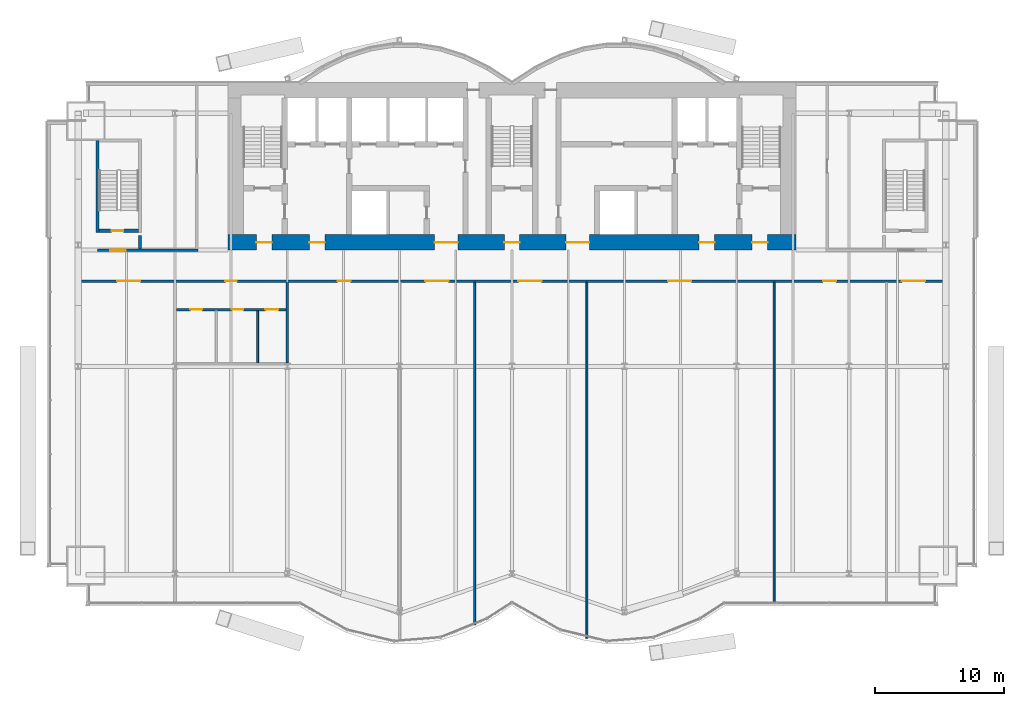
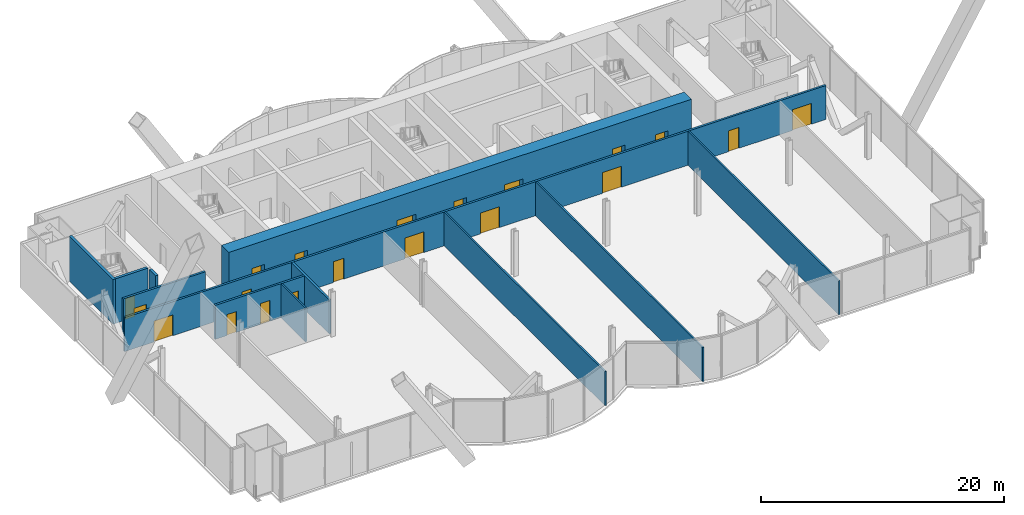
# One storey, part 17 of 23: 20 doors, 12 walls, 20 openings.
"""IFC4 building model written with IfcOpenShell, lengths in metres."""

from ifc_helpers import new_model, si_unit, direction, frame, frame_2d, origin, place, context, subcontext, project, spatial, rectangle, extrude, material, layer, layer_set, type_object, element, fill, save


model = new_model("IFC4")

# Units and contexts
model_context = context("Model", 3, precision=1e-05, world=origin(), true_north=direction((0.0, 1.0)))
body_context = subcontext(model_context, "Body", "Model", "MODEL_VIEW")
ifc_project = project(units=[si_unit("LENGTHUNIT", "METRE"), si_unit("AREAUNIT", "SQUARE_METRE"), si_unit("VOLUMEUNIT", "CUBIC_METRE"), si_unit("PLANEANGLEUNIT", "RADIAN"), si_unit("MASSUNIT", "GRAM", prefix="KILO")], contexts=[model_context])

# Site, building, storey
site_placement = place(None, origin())
site = spatial("IfcSite", under=ifc_project, at=site_placement, CompositionType="ELEMENT")
building_placement = place(site_placement, origin())
building = spatial("IfcBuilding", under=site, at=building_placement, Name="Bicima Exchange Tower", CompositionType="ELEMENT")
storey_placement = place(building_placement, frame((0.0, 0.0, 62.0)))
storey = spatial("IfcBuildingStorey", under=building, at=storey_placement, Name="L12", CompositionType="ELEMENT", Elevation=62.0)

# Wall, openings, doors
ifc_material_1 = material(Name="Gypsum board partition")
ifc_layer_1 = layer(ifc_material_1, 0.199951171875)
ifc_layer_set_1 = layer_set([ifc_layer_1], Name="Gypsum board partition")
wall_type_1 = type_object("IfcWallType", Name="Fire-rated gypsum partition 200 EI60", PredefinedType="PARTITIONING", material=ifc_layer_set_1)
wall_1_placement = place(storey_placement, frame((-26.0, -17.60009765625, 0.0), z_axis=(0.0, 0.0, 1.0), x_axis=(1.0, 0.0, 0.0)))
wall_1 = element("IfcWall", 1, at=wall_1_placement, inside=storey, type_object=wall_type_1, Name="partition wall 2", PredefinedType="PARTITIONING", context=body_context, shape_type="SweptSolid", body=[
    extrude(rectangle(XDim=8.5, YDim=0.199951171875, at=frame_2d((4.25, 0.0))), origin(), (0.0, 0.0, 1.0), 3.418212890625),
])
opening_1_placement = place(wall_1_placement, frame((1.10009765625, 0.0, 0.0)))
opening_1 = element("IfcOpeningElement", 2, at=opening_1_placement, cuts=wall_1, Name="Opening L12-009", PredefinedType="OPENING", context=body_context, shape_type="SweptSolid", body=[
    extrude(rectangle(XDim=0.89990234375, YDim=2.10009765625, at=frame_2d((0.449951171875, 1.050048828125))), frame((0.0, 0.11181640625, 0.0), z_axis=(0.0, -1.0, 0.0), x_axis=(1.0, 0.0, 0.0)), (0.0, 0.0, 1.0), 0.223876953125),
])
opening_2_placement = place(wall_1_placement, frame((4.300048828125, 0.0, 0.0)))
opening_2 = element("IfcOpeningElement", 3, at=opening_2_placement, cuts=wall_1, Name="Opening L12-010", PredefinedType="OPENING", context=body_context, shape_type="SweptSolid", body=[
    extrude(rectangle(XDim=0.89990234375, YDim=2.10009765625, at=frame_2d((0.449951171875, 1.050048828125))), frame((0.0, 0.11181640625, 0.0), z_axis=(0.0, -1.0, 0.0), x_axis=(1.0, 0.0, 0.0)), (0.0, 0.0, 1.0), 0.223876953125),
])
opening_3_placement = place(wall_1_placement, frame((6.89990234375, 0.0, 0.0)))
opening_3 = element("IfcOpeningElement", 4, at=opening_3_placement, cuts=wall_1, Name="Opening L12-011", PredefinedType="OPENING", context=body_context, shape_type="SweptSolid", body=[
    extrude(rectangle(XDim=1.0, YDim=2.10009765625, at=frame_2d((0.5, 1.050048828125))), frame((0.0, 0.11181640625, 0.0), z_axis=(0.0, -1.0, 0.0), x_axis=(1.0, 0.0, 0.0)), (0.0, 0.0, 1.0), 0.223876953125),
])
ifc_material_2 = material(Name="Steel fire door leaf", Category="steel")
door_type_1 = type_object("IfcDoorType", Name="Door 1000 swing FD30S", OperationType="SINGLE_SWING_LEFT", PredefinedType="DOOR", material=ifc_material_2)
door_1_placement = place(opening_3_placement, frame((1.0, 0.0, 0.0), z_axis=(0.0, 0.0, 1.0), x_axis=(-1.0, 0.0, 0.0)))
door_1 = element("IfcDoor", 5, at=door_1_placement, inside=storey, type_object=door_type_1, Name="Door", OperationType="SINGLE_SWING_RIGHT", OverallHeight=2.10009765625, OverallWidth=1.0, PredefinedType="DOOR", context=body_context, shape_type="SweptSolid", body=[
    extrude(rectangle(XDim=1.0, YDim=2.10009765625, at=frame_2d((0.5, 1.050048828125))), frame((0.0, 0.02490234375, 0.0), z_axis=(0.0, -1.0, 0.0), x_axis=(1.0, 0.0, 0.0)), (0.0, 0.0, 1.0), 0.050048828125),
])
fill(opening_3, door_1)
door_type_2 = type_object("IfcDoorType", Name="Door 900 swing FD30S", OperationType="SINGLE_SWING_LEFT", PredefinedType="DOOR", material=ifc_material_2)
door_2_placement = place(opening_1_placement, frame((0.89990234375, 0.0, 0.0), z_axis=(0.0, 0.0, 1.0), x_axis=(-1.0, 0.0, 0.0)))
door_2 = element("IfcDoor", 6, at=door_2_placement, inside=storey, type_object=door_type_2, Name="Door", OperationType="SINGLE_SWING_RIGHT", OverallHeight=2.10009765625, OverallWidth=0.89990234375, PredefinedType="DOOR", context=body_context, shape_type="SweptSolid", body=[
    extrude(rectangle(XDim=0.89990234375, YDim=2.10009765625, at=frame_2d((0.449951171875, 1.050048828125))), frame((0.0, 0.02490234375, 0.0), z_axis=(0.0, -1.0, 0.0), x_axis=(1.0, 0.0, 0.0)), (0.0, 0.0, 1.0), 0.050048828125),
])
fill(opening_1, door_2)
door_3_placement = place(opening_2_placement, frame((0.89990234375, 0.0, 0.0), z_axis=(0.0, 0.0, 1.0), x_axis=(-1.0, 0.0, 0.0)))
door_3 = element("IfcDoor", 7, at=door_3_placement, inside=storey, type_object=door_type_2, Name="Door", OperationType="SINGLE_SWING_LEFT", OverallHeight=2.10009765625, OverallWidth=0.89990234375, PredefinedType="DOOR", context=body_context, shape_type="SweptSolid", body=[
    extrude(rectangle(XDim=0.89990234375, YDim=2.10009765625, at=frame_2d((0.449951171875, 1.050048828125))), frame((0.0, 0.02490234375, 0.0), z_axis=(0.0, -1.0, 0.0), x_axis=(1.0, 0.0, 0.0)), (0.0, 0.0, 1.0), 0.050048828125),
])
fill(opening_2, door_3)

wall_2_placement = place(storey_placement, frame((-33.3701171875, -15.39990234375, 0.0), z_axis=(0.0, 0.0, 1.0), x_axis=(1.0, 0.0, 0.0)))
wall_2 = element("IfcWall", 8, at=wall_2_placement, inside=storey, type_object=wall_type_1, Name="partition wall 3", PredefinedType="PARTITIONING", context=body_context, shape_type="SweptSolid", body=[
    extrude(rectangle(XDim=66.740234375, YDim=0.199951171875, at=frame_2d((33.3701171875, 0.0))), origin(), (0.0, 0.0, 1.0), 3.418212890625),
])
opening_4_placement = place(wall_2_placement, frame((2.800048828125, 0.0, 0.0)))
opening_4 = element("IfcOpeningElement", 9, at=opening_4_placement, cuts=wall_2, Name="Opening L12-007", PredefinedType="OPENING", context=body_context, shape_type="SweptSolid", body=[
    extrude(rectangle(XDim=1.800048828125, YDim=2.10009765625, at=frame_2d((0.89990234375, 1.050048828125))), frame((0.0, 0.11181640625, 0.0), z_axis=(0.0, -1.0, 0.0), x_axis=(1.0, 0.0, 0.0)), (0.0, 0.0, 1.0), 0.223876953125),
])
opening_5_placement = place(wall_2_placement, frame((11.169921875, 0.0, 0.0)))
opening_5 = element("IfcOpeningElement", 10, at=opening_5_placement, cuts=wall_2, Name="Opening L12-008", PredefinedType="OPENING", context=body_context, shape_type="SweptSolid", body=[
    extrude(rectangle(XDim=0.89990234375, YDim=2.10009765625, at=frame_2d((0.449951171875, 1.050048828125))), frame((0.0, 0.11181640625, 0.0), z_axis=(0.0, -1.0, 0.0), x_axis=(1.0, 0.0, 0.0)), (0.0, 0.0, 1.0), 0.223876953125),
])
opening_6_placement = place(wall_2_placement, frame((19.8701171875, 0.0, 0.0)))
opening_6 = element("IfcOpeningElement", 11, at=opening_6_placement, cuts=wall_2, Name="Opening L12-012", PredefinedType="OPENING", context=body_context, shape_type="SweptSolid", body=[
    extrude(rectangle(XDim=1.0, YDim=2.10009765625, at=frame_2d((0.5, 1.050048828125))), frame((0.0, 0.11181640625, 0.0), z_axis=(0.0, -1.0, 0.0), x_axis=(1.0, 0.0, 0.0)), (0.0, 0.0, 1.0), 0.223876953125),
])
opening_7_placement = place(wall_2_placement, frame((26.669921875, 0.0, 0.0)))
opening_7 = element("IfcOpeningElement", 12, at=opening_7_placement, cuts=wall_2, Name="Opening L12-013", PredefinedType="OPENING", context=body_context, shape_type="SweptSolid", body=[
    extrude(rectangle(XDim=1.800048828125, YDim=2.10009765625, at=frame_2d((0.89990234375, 1.050048828125))), frame((0.0, 0.11181640625, 0.0), z_axis=(0.0, -1.0, 0.0), x_axis=(1.0, 0.0, 0.0)), (0.0, 0.0, 1.0), 0.223876953125),
])
opening_8_placement = place(wall_2_placement, frame((33.8701171875, 0.0, 0.0)))
opening_8 = element("IfcOpeningElement", 13, at=opening_8_placement, cuts=wall_2, Name="Opening L12-014", PredefinedType="OPENING", context=body_context, shape_type="SweptSolid", body=[
    extrude(rectangle(XDim=1.800048828125, YDim=2.10009765625, at=frame_2d((0.89990234375, 1.050048828125))), frame((0.0, 0.11181640625, 0.0), z_axis=(0.0, -1.0, 0.0), x_axis=(1.0, 0.0, 0.0)), (0.0, 0.0, 1.0), 0.223876953125),
])
opening_9_placement = place(wall_2_placement, frame((45.469970703125, 0.0, 0.0)))
opening_9 = element("IfcOpeningElement", 14, at=opening_9_placement, cuts=wall_2, Name="Opening L12-015", PredefinedType="OPENING", context=body_context, shape_type="SweptSolid", body=[
    extrude(rectangle(XDim=1.800048828125, YDim=2.10009765625, at=frame_2d((0.89990234375, 1.050048828125))), frame((0.0, 0.11181640625, 0.0), z_axis=(0.0, -1.0, 0.0), x_axis=(1.0, 0.0, 0.0)), (0.0, 0.0, 1.0), 0.223876953125),
])
opening_10_placement = place(wall_2_placement, frame((57.469970703125, 0.0, 0.0)))
opening_10 = element("IfcOpeningElement", 15, at=opening_10_placement, cuts=wall_2, Name="Opening L12-016", PredefinedType="OPENING", context=body_context, shape_type="SweptSolid", body=[
    extrude(rectangle(XDim=1.0, YDim=2.10009765625, at=frame_2d((0.5, 1.050048828125))), frame((0.0, 0.11181640625, 0.0), z_axis=(0.0, -1.0, 0.0), x_axis=(1.0, 0.0, 0.0)), (0.0, 0.0, 1.0), 0.223876953125),
])
opening_11_placement = place(wall_2_placement, frame((63.570068359375, 0.0, 0.0)))
opening_11 = element("IfcOpeningElement", 16, at=opening_11_placement, cuts=wall_2, Name="Opening L12-017", PredefinedType="OPENING", context=body_context, shape_type="SweptSolid", body=[
    extrude(rectangle(XDim=1.800048828125, YDim=2.10009765625, at=frame_2d((0.89990234375, 1.050048828125))), frame((0.0, 0.11181640625, 0.0), z_axis=(0.0, -1.0, 0.0), x_axis=(1.0, 0.0, 0.0)), (0.0, 0.0, 1.0), 0.223876953125),
])
door_4_placement = place(opening_6_placement, frame((1.0, 0.0, 0.0), z_axis=(0.0, 0.0, 1.0), x_axis=(-1.0, 0.0, 0.0)))
door_4 = element("IfcDoor", 17, at=door_4_placement, inside=storey, type_object=door_type_1, Name="Door", OperationType="SINGLE_SWING_RIGHT", OverallHeight=2.10009765625, OverallWidth=1.0, PredefinedType="DOOR", context=body_context, shape_type="SweptSolid", body=[
    extrude(rectangle(XDim=1.0, YDim=2.10009765625, at=frame_2d((0.5, 1.050048828125))), frame((0.0, 0.02490234375, 0.0), z_axis=(0.0, -1.0, 0.0), x_axis=(1.0, 0.0, 0.0)), (0.0, 0.0, 1.0), 0.050048828125),
])
fill(opening_6, door_4)
door_5_placement = place(opening_10_placement, frame((1.0, 0.0, 0.0), z_axis=(0.0, 0.0, 1.0), x_axis=(-1.0, 0.0, 0.0)))
door_5 = element("IfcDoor", 18, at=door_5_placement, inside=storey, type_object=door_type_1, Name="Door", OperationType="SINGLE_SWING_LEFT", OverallHeight=2.10009765625, OverallWidth=1.0, PredefinedType="DOOR", context=body_context, shape_type="SweptSolid", body=[
    extrude(rectangle(XDim=1.0, YDim=2.10009765625, at=frame_2d((0.5, 1.050048828125))), frame((0.0, 0.02490234375, 0.0), z_axis=(0.0, -1.0, 0.0), x_axis=(1.0, 0.0, 0.0)), (0.0, 0.0, 1.0), 0.050048828125),
])
fill(opening_10, door_5)
door_type_3 = type_object("IfcDoorType", Name="Door 1800 double swing FD30S", OperationType="DOUBLE_DOOR_SINGLE_SWING", PredefinedType="DOOR", material=ifc_material_2)
door_6_placement = place(opening_4_placement, origin())
door_6 = element("IfcDoor", 19, at=door_6_placement, inside=storey, type_object=door_type_3, Name="Door", OperationType="SINGLE_SWING_LEFT", OverallHeight=2.10009765625, OverallWidth=1.800048828125, PredefinedType="DOOR", context=body_context, shape_type="SweptSolid", body=[
    extrude(rectangle(XDim=1.800048828125, YDim=2.10009765625, at=frame_2d((0.89990234375, 1.050048828125))), frame((0.0, 0.02490234375, 0.0), z_axis=(0.0, -1.0, 0.0), x_axis=(1.0, 0.0, 0.0)), (0.0, 0.0, 1.0), 0.050048828125),
])
fill(opening_4, door_6)
door_7_placement = place(opening_7_placement, origin())
door_7 = element("IfcDoor", 20, at=door_7_placement, inside=storey, type_object=door_type_3, Name="Door", OperationType="SINGLE_SWING_LEFT", OverallHeight=2.10009765625, OverallWidth=1.800048828125, PredefinedType="DOOR", context=body_context, shape_type="SweptSolid", body=[
    extrude(rectangle(XDim=1.800048828125, YDim=2.10009765625, at=frame_2d((0.89990234375, 1.050048828125))), frame((0.0, 0.02490234375, 0.0), z_axis=(0.0, -1.0, 0.0), x_axis=(1.0, 0.0, 0.0)), (0.0, 0.0, 1.0), 0.050048828125),
])
fill(opening_7, door_7)
door_8_placement = place(opening_8_placement, origin())
door_8 = element("IfcDoor", 21, at=door_8_placement, inside=storey, type_object=door_type_3, Name="Door", OperationType="SINGLE_SWING_LEFT", OverallHeight=2.10009765625, OverallWidth=1.800048828125, PredefinedType="DOOR", context=body_context, shape_type="SweptSolid", body=[
    extrude(rectangle(XDim=1.800048828125, YDim=2.10009765625, at=frame_2d((0.89990234375, 1.050048828125))), frame((0.0, 0.02490234375, 0.0), z_axis=(0.0, -1.0, 0.0), x_axis=(1.0, 0.0, 0.0)), (0.0, 0.0, 1.0), 0.050048828125),
])
fill(opening_8, door_8)
door_9_placement = place(opening_9_placement, origin())
door_9 = element("IfcDoor", 22, at=door_9_placement, inside=storey, type_object=door_type_3, Name="Door", OperationType="SINGLE_SWING_LEFT", OverallHeight=2.10009765625, OverallWidth=1.800048828125, PredefinedType="DOOR", context=body_context, shape_type="SweptSolid", body=[
    extrude(rectangle(XDim=1.800048828125, YDim=2.10009765625, at=frame_2d((0.89990234375, 1.050048828125))), frame((0.0, 0.02490234375, 0.0), z_axis=(0.0, -1.0, 0.0), x_axis=(1.0, 0.0, 0.0)), (0.0, 0.0, 1.0), 0.050048828125),
])
fill(opening_9, door_9)
door_10_placement = place(opening_11_placement, origin())
door_10 = element("IfcDoor", 23, at=door_10_placement, inside=storey, type_object=door_type_3, Name="Door", OperationType="SINGLE_SWING_LEFT", OverallHeight=2.10009765625, OverallWidth=1.800048828125, PredefinedType="DOOR", context=body_context, shape_type="SweptSolid", body=[
    extrude(rectangle(XDim=1.800048828125, YDim=2.10009765625, at=frame_2d((0.89990234375, 1.050048828125))), frame((0.0, 0.02490234375, 0.0), z_axis=(0.0, -1.0, 0.0), x_axis=(1.0, 0.0, 0.0)), (0.0, 0.0, 1.0), 0.050048828125),
])
fill(opening_11, door_10)
door_11_placement = place(opening_5_placement, frame((0.89990234375, 0.0, 0.0), z_axis=(0.0, 0.0, 1.0), x_axis=(-1.0, 0.0, 0.0)))
door_11 = element("IfcDoor", 24, at=door_11_placement, inside=storey, type_object=door_type_2, Name="Door", OperationType="SINGLE_SWING_RIGHT", OverallHeight=2.10009765625, OverallWidth=0.89990234375, PredefinedType="DOOR", context=body_context, shape_type="SweptSolid", body=[
    extrude(rectangle(XDim=0.89990234375, YDim=2.10009765625, at=frame_2d((0.449951171875, 1.050048828125))), frame((0.0, 0.02490234375, 0.0), z_axis=(0.0, -1.0, 0.0), x_axis=(1.0, 0.0, 0.0)), (0.0, 0.0, 1.0), 0.050048828125),
])
fill(opening_5, door_11)

# Wall, opening, door
wall_3_placement = place(storey_placement, frame((-32.10009765625, -13.0, 0.0), z_axis=(0.0, 0.0, 1.0), x_axis=(1.0, 0.0, 0.0)))
wall_3 = element("IfcWall", 25, at=wall_3_placement, inside=storey, type_object=wall_type_1, Name="partition wall 4", PredefinedType="PARTITIONING", context=body_context, shape_type="SweptSolid", body=[
    extrude(rectangle(XDim=7.800048828125, YDim=0.199951171875, at=frame_2d((3.89990234375, 0.0))), origin(), (0.0, 0.0, 1.0), 3.418212890625),
])
opening_12_placement = place(wall_3_placement, frame((1.0, 0.0, 0.0)))
opening_12 = element("IfcOpeningElement", 26, at=opening_12_placement, cuts=wall_3, Name="Opening L12-001", PredefinedType="OPENING", context=body_context, shape_type="SweptSolid", body=[
    extrude(rectangle(XDim=1.199951171875, YDim=2.10009765625, at=frame_2d((0.60009765625, 1.050048828125))), frame((0.0, 0.11181640625, 0.0), z_axis=(0.0, -1.0, 0.0), x_axis=(1.0, 0.0, 0.0)), (0.0, 0.0, 1.0), 0.223876953125),
])
door_type_4 = type_object("IfcDoorType", Name="Door 1200 swing FD30S", OperationType="SINGLE_SWING_LEFT", PredefinedType="DOOR", material=ifc_material_2)
door_12_placement = place(opening_12_placement, origin())
door_12 = element("IfcDoor", 27, at=door_12_placement, inside=storey, type_object=door_type_4, Name="Door", OperationType="SINGLE_SWING_LEFT", OverallHeight=2.10009765625, OverallWidth=1.199951171875, PredefinedType="DOOR", context=body_context, shape_type="SweptSolid", body=[
    extrude(rectangle(XDim=1.199951171875, YDim=2.10009765625, at=frame_2d((0.60009765625, 1.050048828125))), frame((0.0, 0.02490234375, 0.0), z_axis=(0.0, -1.0, 0.0), x_axis=(1.0, 0.0, 0.0)), (0.0, 0.0, 1.0), 0.050048828125),
])
fill(opening_12, door_12)

# Walls
wall_4_placement = place(storey_placement, frame((-17.39990234375, -21.72509765625, 0.0), z_axis=(0.0, 0.0, 1.0), x_axis=(0.0, 1.0, 0.0)))
element("IfcWall", 28, at=wall_4_placement, inside=storey, type_object=wall_type_1, Name="partition wall 18", PredefinedType="PARTITIONING", context=body_context, shape_type="SweptSolid", body=[
    extrude(rectangle(XDim=6.22509765625, YDim=0.199951171875, at=frame_2d((3.112548828125, 0.0))), origin(), (0.0, 0.0, 1.0), 3.418212890625),
])
ifc_layer_2 = layer(ifc_material_1, 0.14990234375)
ifc_layer_set_2 = layer_set([ifc_layer_2], Name="Gypsum board partition")
wall_type_2 = type_object("IfcWallType", Name="Gypsum partition 150", PredefinedType="PARTITIONING", material=ifc_layer_set_2)
wall_5_placement = place(storey_placement, frame((-19.699951171875, -21.72509765625, 0.0), z_axis=(0.0, 0.0, 1.0), x_axis=(0.0, 1.0, 0.0)))
element("IfcWall", 29, at=wall_5_placement, inside=storey, type_object=wall_type_2, Name="partition wall 17", PredefinedType="PARTITIONING", context=body_context, shape_type="SweptSolid", body=[
    extrude(rectangle(XDim=4.025146484375, YDim=0.14990234375, at=frame_2d((2.0126953125, 0.0))), origin(), (0.0, 0.0, 1.0), 3.418212890625),
])
wall_6_placement = place(storey_placement, frame((-2.89990234375, -42.0, 0.0), z_axis=(0.0, 0.0, 1.0), x_axis=(0.0, 1.0, 0.0)))
element("IfcWall", 30, at=wall_6_placement, inside=storey, type_object=wall_type_2, Name="partition wall 21", PredefinedType="PARTITIONING", context=body_context, shape_type="SweptSolid", body=[
    extrude(rectangle(XDim=26.5, YDim=0.14990234375, at=frame_2d((13.25, 0.0))), origin(), (0.0, 0.0, 1.0), 3.418212890625),
])
wall_7_placement = place(storey_placement, frame((5.800048828125, -43.0400390625, 0.0), z_axis=(0.0, 0.0, 1.0), x_axis=(0.0, 1.0, 0.0)))
element("IfcWall", 31, at=wall_7_placement, inside=storey, type_object=wall_type_2, Name="partition wall 22", PredefinedType="PARTITIONING", context=body_context, shape_type="SweptSolid", body=[
    extrude(rectangle(XDim=27.5400390625, YDim=0.14990234375, at=frame_2d((13.77001953125, 0.0))), origin(), (0.0, 0.0, 1.0), 3.418212890625),
])
wall_8_placement = place(storey_placement, frame((20.300048828125, -40.330078125, 0.0), z_axis=(0.0, 0.0, 1.0), x_axis=(0.0, 1.0, 0.0)))
element("IfcWall", 32, at=wall_8_placement, inside=storey, type_object=wall_type_2, Name="partition wall 23", PredefinedType="PARTITIONING", context=body_context, shape_type="SweptSolid", body=[
    extrude(rectangle(XDim=24.830078125, YDim=0.14990234375, at=frame_2d((12.4150390625, 0.0))), origin(), (0.0, 0.0, 1.0), 3.418212890625),
])

# Wall, openings, doors
ifc_material_3 = material(Name="Concrete C60/75", Category="concrete")
ifc_layer_3 = layer(ifc_material_3, 1.199951171875)
ifc_layer_set_3 = layer_set([ifc_layer_3], Name="Concrete C60/75")
wall_type_3 = type_object("IfcWallType", Name="RC core wall 1200 C60/75", PredefinedType="SHEAR", material=ifc_layer_set_3)
wall_9_placement = place(storey_placement, frame((-22.0, -12.39990234375, 0.0), z_axis=(0.0, 0.0, 1.0), x_axis=(1.0, 0.0, 0.0)))
wall_9 = element("IfcWall", 33, at=wall_9_placement, inside=storey, type_object=wall_type_3, Name="Core wall south", PredefinedType="SHEAR", context=body_context, shape_type="SweptSolid", body=[
    extrude(rectangle(XDim=44.0, YDim=1.199951171875, at=frame_2d((22.0, 0.0))), origin(), (0.0, 0.0, 1.0), 4.5),
])
opening_13_placement = place(wall_9_placement, frame((2.199951171875, 0.0, 0.0)))
opening_13 = element("IfcOpeningElement", 34, at=opening_13_placement, cuts=wall_9, Name="Opening L12-C17", PredefinedType="OPENING", context=body_context, shape_type="SweptSolid", body=[
    extrude(rectangle(XDim=1.199951171875, YDim=2.10009765625, at=frame_2d((0.60009765625, 1.050048828125))), frame((0.0, 0.61181640625, 0.0), z_axis=(0.0, -1.0, 0.0), x_axis=(1.0, 0.0, 0.0)), (0.0, 0.0, 1.0), 1.223876953125),
])
opening_14_placement = place(wall_9_placement, frame((21.39990234375, 0.0, 0.0)))
opening_14 = element("IfcOpeningElement", 35, at=opening_14_placement, cuts=wall_9, Name="Opening L12-C18", PredefinedType="OPENING", context=body_context, shape_type="SweptSolid", body=[
    extrude(rectangle(XDim=1.199951171875, YDim=2.10009765625, at=frame_2d((0.60009765625, 1.050048828125))), frame((0.0, 0.61181640625, 0.0), z_axis=(0.0, -1.0, 0.0), x_axis=(1.0, 0.0, 0.0)), (0.0, 0.0, 1.0), 1.223876953125),
])
opening_15_placement = place(wall_9_placement, frame((40.60009765625, 0.0, 0.0)))
opening_15 = element("IfcOpeningElement", 36, at=opening_15_placement, cuts=wall_9, Name="Opening L12-C19", PredefinedType="OPENING", context=body_context, shape_type="SweptSolid", body=[
    extrude(rectangle(XDim=1.199951171875, YDim=2.10009765625, at=frame_2d((0.60009765625, 1.050048828125))), frame((0.0, 0.61181640625, 0.0), z_axis=(0.0, -1.0, 0.0), x_axis=(1.0, 0.0, 0.0)), (0.0, 0.0, 1.0), 1.223876953125),
])
opening_16_placement = place(wall_9_placement, frame((16.0, 0.0, 0.0)))
opening_16 = element("IfcOpeningElement", 37, at=opening_16_placement, cuts=wall_9, Name="Opening L12-C20", PredefinedType="OPENING", context=body_context, shape_type="SweptSolid", body=[
    extrude(rectangle(XDim=1.800048828125, YDim=2.10009765625, at=frame_2d((0.89990234375, 1.050048828125))), frame((0.0, 0.61181640625, 0.0), z_axis=(0.0, -1.0, 0.0), x_axis=(1.0, 0.0, 0.0)), (0.0, 0.0, 1.0), 1.223876953125),
])
opening_17_placement = place(wall_9_placement, frame((6.300048828125, 0.0, 0.0)))
opening_17 = element("IfcOpeningElement", 38, at=opening_17_placement, cuts=wall_9, Name="Opening L12-C21", PredefinedType="OPENING", context=body_context, shape_type="SweptSolid", body=[
    extrude(rectangle(XDim=1.199951171875, YDim=2.10009765625, at=frame_2d((0.60009765625, 1.050048828125))), frame((0.0, 0.61181640625, 0.0), z_axis=(0.0, -1.0, 0.0), x_axis=(1.0, 0.0, 0.0)), (0.0, 0.0, 1.0), 1.223876953125),
])
opening_18_placement = place(wall_9_placement, frame((26.199951171875, 0.0, 0.0)))
opening_18 = element("IfcOpeningElement", 39, at=opening_18_placement, cuts=wall_9, Name="Opening L12-C22", PredefinedType="OPENING", context=body_context, shape_type="SweptSolid", body=[
    extrude(rectangle(XDim=1.800048828125, YDim=2.10009765625, at=frame_2d((0.89990234375, 1.050048828125))), frame((0.0, 0.61181640625, 0.0), z_axis=(0.0, -1.0, 0.0), x_axis=(1.0, 0.0, 0.0)), (0.0, 0.0, 1.0), 1.223876953125),
])
opening_19_placement = place(wall_9_placement, frame((36.5, 0.0, 0.0)))
opening_19 = element("IfcOpeningElement", 40, at=opening_19_placement, cuts=wall_9, Name="Opening L12-C23", PredefinedType="OPENING", context=body_context, shape_type="SweptSolid", body=[
    extrude(rectangle(XDim=1.199951171875, YDim=2.10009765625, at=frame_2d((0.60009765625, 1.050048828125))), frame((0.0, 0.61181640625, 0.0), z_axis=(0.0, -1.0, 0.0), x_axis=(1.0, 0.0, 0.0)), (0.0, 0.0, 1.0), 1.223876953125),
])
door_type_5 = type_object("IfcDoorType", Name="Door 1200 swing FD60S", OperationType="SINGLE_SWING_LEFT", PredefinedType="DOOR", material=ifc_material_2)
door_13_placement = place(opening_13_placement, frame((1.199951171875, 0.0, 0.0), z_axis=(0.0, 0.0, 1.0), x_axis=(-1.0, 0.0, 0.0)))
door_13 = element("IfcDoor", 41, at=door_13_placement, inside=storey, type_object=door_type_5, Name="Core door", OperationType="SINGLE_SWING_RIGHT", OverallHeight=2.10009765625, OverallWidth=1.199951171875, PredefinedType="DOOR", context=body_context, shape_type="SweptSolid", body=[
    extrude(rectangle(XDim=1.199951171875, YDim=2.10009765625, at=frame_2d((0.60009765625, 1.050048828125))), frame((0.0, 0.02490234375, 0.0), z_axis=(0.0, -1.0, 0.0), x_axis=(1.0, 0.0, 0.0)), (0.0, 0.0, 1.0), 0.050048828125),
])
fill(opening_13, door_13)
door_14_placement = place(opening_14_placement, frame((1.199951171875, 0.0, 0.0), z_axis=(0.0, 0.0, 1.0), x_axis=(-1.0, 0.0, 0.0)))
door_14 = element("IfcDoor", 42, at=door_14_placement, inside=storey, type_object=door_type_5, Name="Core door", OperationType="SINGLE_SWING_RIGHT", OverallHeight=2.10009765625, OverallWidth=1.199951171875, PredefinedType="DOOR", context=body_context, shape_type="SweptSolid", body=[
    extrude(rectangle(XDim=1.199951171875, YDim=2.10009765625, at=frame_2d((0.60009765625, 1.050048828125))), frame((0.0, 0.02490234375, 0.0), z_axis=(0.0, -1.0, 0.0), x_axis=(1.0, 0.0, 0.0)), (0.0, 0.0, 1.0), 0.050048828125),
])
fill(opening_14, door_14)
door_15_placement = place(opening_15_placement, frame((1.199951171875, 0.0, 0.0), z_axis=(0.0, 0.0, 1.0), x_axis=(-1.0, 0.0, 0.0)))
door_15 = element("IfcDoor", 43, at=door_15_placement, inside=storey, type_object=door_type_5, Name="Core door", OperationType="SINGLE_SWING_RIGHT", OverallHeight=2.10009765625, OverallWidth=1.199951171875, PredefinedType="DOOR", context=body_context, shape_type="SweptSolid", body=[
    extrude(rectangle(XDim=1.199951171875, YDim=2.10009765625, at=frame_2d((0.60009765625, 1.050048828125))), frame((0.0, 0.02490234375, 0.0), z_axis=(0.0, -1.0, 0.0), x_axis=(1.0, 0.0, 0.0)), (0.0, 0.0, 1.0), 0.050048828125),
])
fill(opening_15, door_15)
door_16_placement = place(opening_17_placement, frame((1.199951171875, 0.0, 0.0), z_axis=(0.0, 0.0, 1.0), x_axis=(-1.0, 0.0, 0.0)))
door_16 = element("IfcDoor", 44, at=door_16_placement, inside=storey, type_object=door_type_5, Name="Core door", OperationType="SINGLE_SWING_RIGHT", OverallHeight=2.10009765625, OverallWidth=1.199951171875, PredefinedType="DOOR", context=body_context, shape_type="SweptSolid", body=[
    extrude(rectangle(XDim=1.199951171875, YDim=2.10009765625, at=frame_2d((0.60009765625, 1.050048828125))), frame((0.0, 0.02490234375, 0.0), z_axis=(0.0, -1.0, 0.0), x_axis=(1.0, 0.0, 0.0)), (0.0, 0.0, 1.0), 0.050048828125),
])
fill(opening_17, door_16)
door_17_placement = place(opening_19_placement, frame((1.199951171875, 0.0, 0.0), z_axis=(0.0, 0.0, 1.0), x_axis=(-1.0, 0.0, 0.0)))
door_17 = element("IfcDoor", 45, at=door_17_placement, inside=storey, type_object=door_type_5, Name="Core door", OperationType="SINGLE_SWING_RIGHT", OverallHeight=2.10009765625, OverallWidth=1.199951171875, PredefinedType="DOOR", context=body_context, shape_type="SweptSolid", body=[
    extrude(rectangle(XDim=1.199951171875, YDim=2.10009765625, at=frame_2d((0.60009765625, 1.050048828125))), frame((0.0, 0.02490234375, 0.0), z_axis=(0.0, -1.0, 0.0), x_axis=(1.0, 0.0, 0.0)), (0.0, 0.0, 1.0), 0.050048828125),
])
fill(opening_19, door_17)
door_18_placement = place(opening_16_placement, origin())
door_18 = element("IfcDoor", 46, at=door_18_placement, inside=storey, type_object=door_type_3, Name="Core door", OperationType="SINGLE_SWING_LEFT", OverallHeight=2.10009765625, OverallWidth=1.800048828125, PredefinedType="DOOR", context=body_context, shape_type="SweptSolid", body=[
    extrude(rectangle(XDim=1.800048828125, YDim=2.10009765625, at=frame_2d((0.89990234375, 1.050048828125))), frame((0.0, 0.02490234375, 0.0), z_axis=(0.0, -1.0, 0.0), x_axis=(1.0, 0.0, 0.0)), (0.0, 0.0, 1.0), 0.050048828125),
])
fill(opening_16, door_18)
door_19_placement = place(opening_18_placement, origin())
door_19 = element("IfcDoor", 47, at=door_19_placement, inside=storey, type_object=door_type_3, Name="Core door", OperationType="SINGLE_SWING_LEFT", OverallHeight=2.10009765625, OverallWidth=1.800048828125, PredefinedType="DOOR", context=body_context, shape_type="SweptSolid", body=[
    extrude(rectangle(XDim=1.800048828125, YDim=2.10009765625, at=frame_2d((0.89990234375, 1.050048828125))), frame((0.0, 0.02490234375, 0.0), z_axis=(0.0, -1.0, 0.0), x_axis=(1.0, 0.0, 0.0)), (0.0, 0.0, 1.0), 0.050048828125),
])
fill(opening_18, door_19)

# Walls
ifc_material_4 = material(Name="Concrete C50/60", Category="concrete")
ifc_layer_4 = layer(ifc_material_4, 0.25)
ifc_layer_set_4 = layer_set([ifc_layer_4], Name="Concrete C50/60")
wall_type_4 = type_object("IfcWallType", Name="RC core wall 250 C50/60", PredefinedType="SHEAR", material=ifc_layer_set_4)
wall_10_placement = place(storey_placement, frame((-28.800048828125, -12.89990234375, 0.0), z_axis=(0.0, 0.0, 1.0), x_axis=(0.0, 1.0, 0.0)))
element("IfcWall", 48, at=wall_10_placement, inside=storey, type_object=wall_type_4, Name="stair wall 13", PredefinedType="SHEAR", context=body_context, shape_type="SweptSolid", body=[
    extrude(rectangle(XDim=1.0498046875, YDim=0.25, at=frame_2d((0.52490234375, 0.0))), origin(), (0.0, 0.0, 1.0), 4.5),
])
ifc_layer_5 = layer(ifc_material_4, 0.25)
ifc_layer_set_5 = layer_set([ifc_layer_5], Name="Concrete C50/60")
wall_type_5 = type_object("IfcWallType", Name="RC stair enclosure wall 250 C50/60", PredefinedType="SHEAR", material=ifc_layer_set_5)
wall_11_placement = place(storey_placement, frame((-32.10009765625, -11.625, 0.0), z_axis=(0.0, 0.0, 1.0), x_axis=(0.0, 1.0, 0.0)))
element("IfcWall", 49, at=wall_11_placement, inside=storey, type_object=wall_type_5, Name="West end exit stair wall W", PredefinedType="SHEAR", context=body_context, shape_type="SweptSolid", body=[
    extrude(rectangle(XDim=7.25, YDim=0.25, at=frame_2d((3.625, 0.0))), origin(), (0.0, 0.0, 1.0), 4.5),
])

# Wall, opening, door
wall_12_placement = place(storey_placement, frame((-31.97509765625, -11.5, 0.0), z_axis=(0.0, 0.0, 1.0), x_axis=(1.0, 0.0, 0.0)))
wall_12 = element("IfcWall", 50, at=wall_12_placement, inside=storey, type_object=wall_type_5, Name="West end exit stair wall S", PredefinedType="SHEAR", context=body_context, shape_type="SweptSolid", body=[
    extrude(rectangle(XDim=3.050048828125, YDim=0.25, at=frame_2d((1.52490234375, 0.0))), origin(), (0.0, 0.0, 1.0), 4.5),
])
opening_20_placement = place(wall_12_placement, frame((0.97509765625, 0.0, 0.0)))
opening_20 = element("IfcOpeningElement", 51, at=opening_20_placement, cuts=wall_12, Name="Opening L12-002", PredefinedType="OPENING", context=body_context, shape_type="SweptSolid", body=[
    extrude(rectangle(XDim=0.89990234375, YDim=2.10009765625, at=frame_2d((0.449951171875, 1.050048828125))), frame((0.0, 0.136962890625, 0.0), z_axis=(0.0, -1.0, 0.0), x_axis=(1.0, 0.0, 0.0)), (0.0, 0.0, 1.0), 0.27392578125),
])
door_type_6 = type_object("IfcDoorType", Name="Door 900 swing FD60S", OperationType="SINGLE_SWING_LEFT", PredefinedType="DOOR", material=ifc_material_2)
door_20_placement = place(opening_20_placement, origin())
door_20 = element("IfcDoor", 52, at=door_20_placement, inside=storey, type_object=door_type_6, Name="Door", OperationType="SINGLE_SWING_LEFT", OverallHeight=2.10009765625, OverallWidth=0.89990234375, PredefinedType="DOOR", context=body_context, shape_type="SweptSolid", body=[
    extrude(rectangle(XDim=0.89990234375, YDim=2.10009765625, at=frame_2d((0.449951171875, 1.050048828125))), frame((0.0, 0.02490234375, 0.0), z_axis=(0.0, -1.0, 0.0), x_axis=(1.0, 0.0, 0.0)), (0.0, 0.0, 1.0), 0.050048828125),
])
fill(opening_20, door_20)

save(model, "model.ifc")
